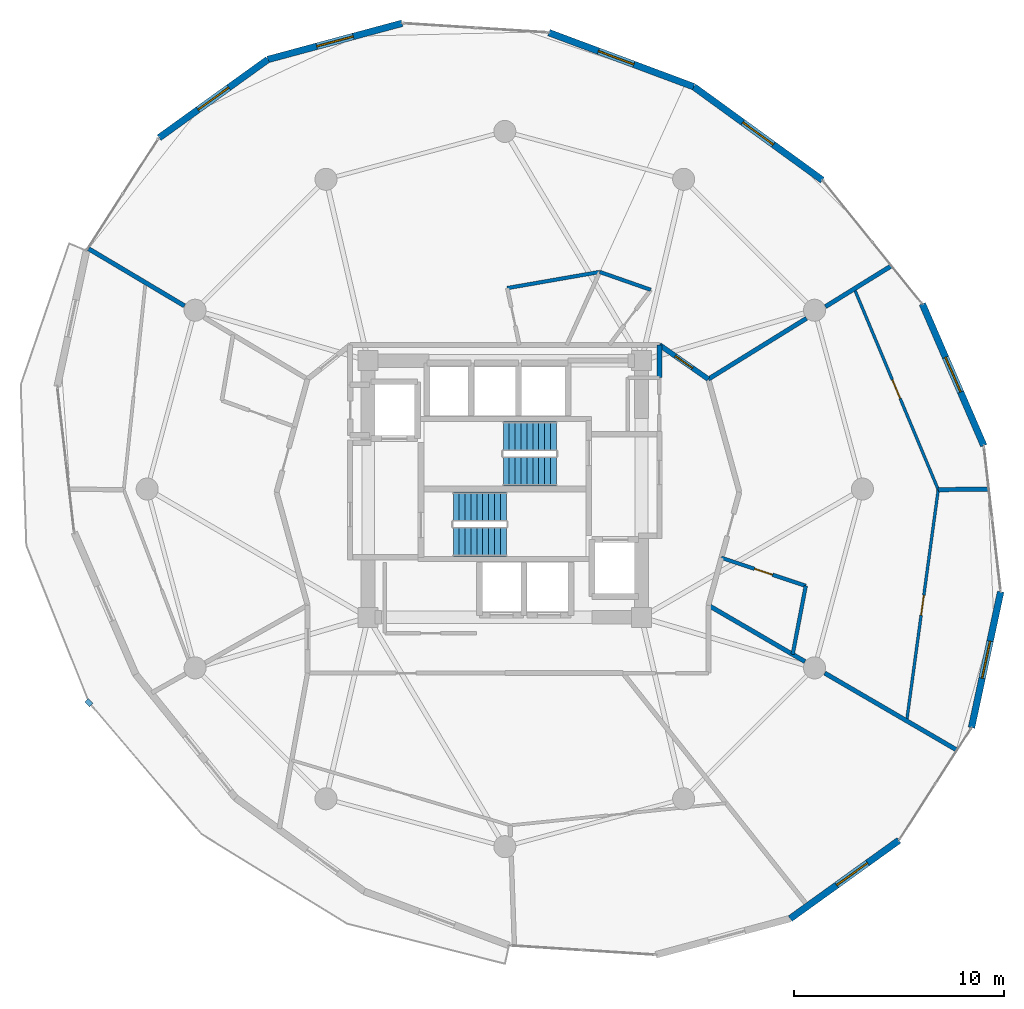
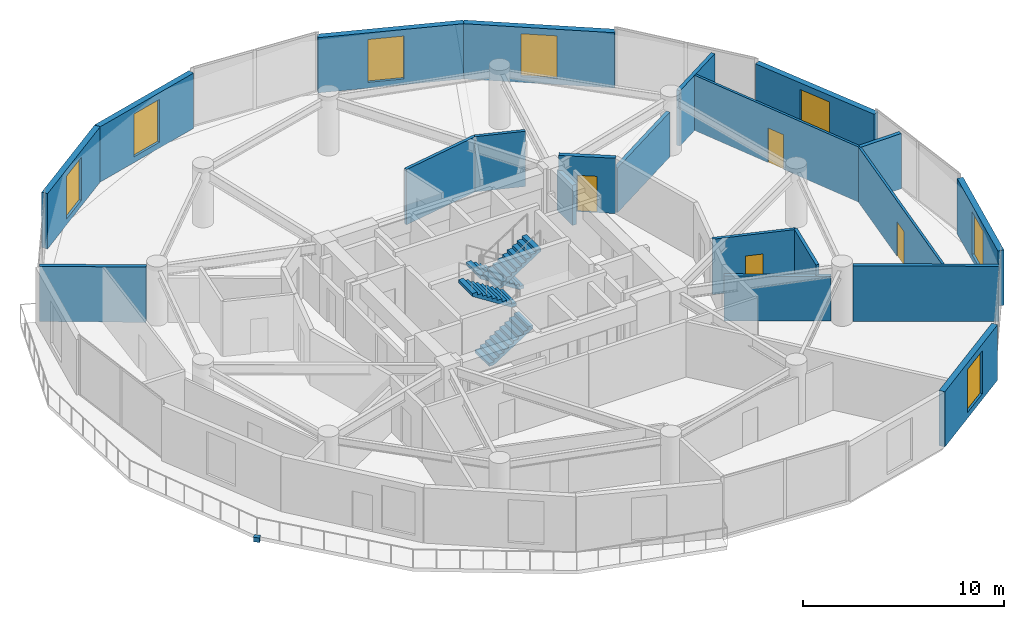
# One storey, part 19 of 21: 21 walls, 7 windows, 4 doors, 4 stair flights, 1 discrete accessory, 11 openings, 2 elements without a shape of their own.
"""IFC4 building model written with IfcOpenShell, lengths in metres."""

from ifc_helpers import new_model, si_unit, direction, frame, frame_2d, origin, origin_2d, place, context, subcontext, project, spatial, polyline, rectangle, outline, extrude, material, layer, layer_set, type_object, element, fill, aggregate, save


model = new_model("IFC4")

# Units and contexts
model_context = context("Model", 3, precision=1e-05, world=origin(), true_north=direction((0.0, 1.0)))
body_context = subcontext(model_context, "Body", "Model", "MODEL_VIEW")
ifc_project = project(units=[si_unit("LENGTHUNIT", "METRE"), si_unit("AREAUNIT", "SQUARE_METRE"), si_unit("VOLUMEUNIT", "CUBIC_METRE"), si_unit("PLANEANGLEUNIT", "RADIAN"), si_unit("MASSUNIT", "GRAM", prefix="KILO")], contexts=[model_context])

# Site, building, storey
site_placement = place(None, origin())
site = spatial("IfcSite", under=ifc_project, at=site_placement, CompositionType="ELEMENT")
building_placement = place(site_placement, origin())
building = spatial("IfcBuilding", under=site, at=building_placement, Name="Solvirekh Grand Hotel", CompositionType="ELEMENT")
storey_placement = place(building_placement, frame((0.0, 0.0, 142.199951171875)))
storey = spatial("IfcBuildingStorey", under=building, at=storey_placement, Name="L36", CompositionType="ELEMENT", Elevation=142.199951171875)

# Wall, opening, window
ifc_material_1 = material(Name="Precast concrete C45/55", Category="concrete")
ifc_layer_1 = layer(ifc_material_1, 0.320068359375)
ifc_layer_set_1 = layer_set([ifc_layer_1], Name="Precast concrete C45/55")
wall_type_1 = type_object("IfcWallType", Name="ExtLobbyWall_RC320", PredefinedType="SOLIDWALL", material=ifc_layer_set_1)
wall_1_placement = place(storey_placement, frame((23.572021484375, -4.87890625, 0.0), z_axis=(0.0, 0.0, 1.0), x_axis=(-0.210040904663, -0.977692599117, 0.0)))
wall_1 = element("IfcWall", 1, at=wall_1_placement, inside=storey, type_object=wall_type_1, Name="L36 exterior structural wall chord 2", PredefinedType="SOLIDWALL", context=body_context, shape_type="SweptSolid", body=[
    extrude(rectangle(XDim=6.612548828125, YDim=0.320068359375, at=frame_2d((3.30615234375, 0.0))), origin(), (0.0, 0.0, 1.0), 3.35009765625),
])
opening_1_placement = place(wall_1_placement, frame((2.406005859375, 0.0, 0.35009765625)))
opening_1 = element("IfcOpeningElement", 2, at=opening_1_placement, cuts=wall_1, Name="Opening W02", PredefinedType="OPENING", context=body_context, shape_type="SweptSolid", body=[
    extrude(rectangle(XDim=1.800048828125, YDim=2.60009765625, at=frame_2d((0.89990234375, 1.300048828125))), frame((0.0, 0.169921875, 0.0), z_axis=(0.0, -1.0, 0.0), x_axis=(1.0, 0.0, 0.0)), (0.0, 0.0, 1.0), 0.340087890625),
])
ifc_material_2 = material(Name="Low-E Tinted Bronze Laminated Glass", Category="aluminium")
window_type = type_object("IfcWindowType", Name="Win_LobbyExt_1800X2600", PartitioningType="SINGLE_PANEL", PredefinedType="WINDOW", material=ifc_material_2)
window_1_placement = place(opening_1_placement, origin())
window_1 = element("IfcWindow", 3, at=window_1_placement, inside=storey, type_object=window_type, Name="L36 panoramic bronze-framed window 2", OverallHeight=2.60009765625, OverallWidth=1.800048828125, PartitioningType="SINGLE_PANEL", PredefinedType="WINDOW", context=body_context, shape_type="SweptSolid", body=[
    extrude(rectangle(XDim=1.800048828125, YDim=2.60009765625, at=frame_2d((0.89990234375, 1.300048828125))), frame((0.0, 0.030029296875, 0.0), z_axis=(0.0, -1.0, 0.0), x_axis=(1.0, 0.0, 0.0)), (0.0, 0.0, 1.0), 0.06005859375),
])
fill(opening_1, window_1)

wall_2_placement = place(storey_placement, frame((19.845947265625, 8.804931640625, 0.0), z_axis=(0.0, 0.0, 1.0), x_axis=(0.39761396578, -0.917552796419, 0.0)))
wall_2 = element("IfcWall", 4, at=wall_2_placement, inside=storey, type_object=wall_type_1, Name="L36 exterior structural wall chord 4", PredefinedType="SOLIDWALL", context=body_context, shape_type="SweptSolid", body=[
    extrude(rectangle(XDim=7.3466796875, YDim=0.320068359375, at=frame_2d((3.67333984375, 0.0))), origin(), (0.0, 0.0, 1.0), 3.35009765625),
])
opening_2_placement = place(wall_2_placement, frame((2.77294921875, 0.0, 0.35009765625)))
opening_2 = element("IfcOpeningElement", 5, at=opening_2_placement, cuts=wall_2, Name="Opening W02", PredefinedType="OPENING", context=body_context, shape_type="SweptSolid", body=[
    extrude(rectangle(XDim=1.800048828125, YDim=2.60009765625, at=frame_2d((0.89990234375, 1.300048828125))), frame((0.0, 0.169921875, 0.0), z_axis=(0.0, -1.0, 0.0), x_axis=(1.0, 0.0, 0.0)), (0.0, 0.0, 1.0), 0.340087890625),
])
window_2_placement = place(opening_2_placement, origin())
window_2 = element("IfcWindow", 6, at=window_2_placement, inside=storey, type_object=window_type, Name="L36 panoramic bronze-framed window 4", OverallHeight=2.60009765625, OverallWidth=1.800048828125, PartitioningType="SINGLE_PANEL", PredefinedType="WINDOW", context=body_context, shape_type="SweptSolid", body=[
    extrude(rectangle(XDim=1.800048828125, YDim=2.60009765625, at=frame_2d((0.89990234375, 1.300048828125))), frame((0.0, 0.030029296875, 0.0), z_axis=(0.0, -1.0, 0.0), x_axis=(1.0, 0.0, 0.0)), (0.0, 0.0, 1.0), 0.06005859375),
])
fill(opening_2, window_2)

wall_3_placement = place(storey_placement, frame((8.97802734375, 19.125, 0.0), z_axis=(0.0, 0.0, 1.0), x_axis=(0.809180040303, -0.587560773347, 0.0)))
wall_3 = element("IfcWall", 7, at=wall_3_placement, inside=storey, type_object=wall_type_1, Name="L36 exterior structural wall chord 6", PredefinedType="SOLIDWALL", context=body_context, shape_type="SweptSolid", body=[
    extrude(rectangle(XDim=7.55810546875, YDim=0.320068359375, at=frame_2d((3.779052734375, 0.0))), origin(), (0.0, 0.0, 1.0), 3.35009765625),
])
opening_3_placement = place(wall_3_placement, frame((2.87890625, 0.0, 0.35009765625)))
opening_3 = element("IfcOpeningElement", 8, at=opening_3_placement, cuts=wall_3, Name="Opening W02", PredefinedType="OPENING", context=body_context, shape_type="SweptSolid", body=[
    extrude(rectangle(XDim=1.800048828125, YDim=2.60009765625, at=frame_2d((0.89990234375, 1.300048828125))), frame((0.0, 0.169921875, 0.0), z_axis=(0.0, -1.0, 0.0), x_axis=(1.0, 0.0, 0.0)), (0.0, 0.0, 1.0), 0.340087890625),
])
window_3_placement = place(opening_3_placement, origin())
window_3 = element("IfcWindow", 9, at=window_3_placement, inside=storey, type_object=window_type, Name="L36 panoramic bronze-framed window 6", OverallHeight=2.60009765625, OverallWidth=1.800048828125, PartitioningType="SINGLE_PANEL", PredefinedType="WINDOW", context=body_context, shape_type="SweptSolid", body=[
    extrude(rectangle(XDim=1.800048828125, YDim=2.60009765625, at=frame_2d((0.89990234375, 1.300048828125))), frame((0.0, 0.030029296875, 0.0), z_axis=(0.0, -1.0, 0.0), x_axis=(1.0, 0.0, 0.0)), (0.0, 0.0, 1.0), 0.06005859375),
])
fill(opening_3, window_3)

wall_4_placement = place(storey_placement, frame((2.094970703125, 21.695068359375, 0.0), z_axis=(0.0, 0.0, 1.0), x_axis=(0.936823947669, -0.349801216512, 0.0)))
wall_4 = element("IfcWall", 10, at=wall_4_placement, inside=storey, type_object=wall_type_1, Name="L36 exterior structural wall chord 7", PredefinedType="SOLIDWALL", context=body_context, shape_type="SweptSolid", body=[
    extrude(rectangle(XDim=7.34716796875, YDim=0.320068359375, at=frame_2d((3.673583984375, 0.0))), origin(), (0.0, 0.0, 1.0), 3.35009765625),
])
opening_4_placement = place(wall_4_placement, frame((2.510986328125, 0.0, 0.35009765625)))
opening_4 = element("IfcOpeningElement", 11, at=opening_4_placement, cuts=wall_4, Name="Opening W02", PredefinedType="OPENING", context=body_context, shape_type="SweptSolid", body=[
    extrude(rectangle(XDim=1.800048828125, YDim=2.60009765625, at=frame_2d((0.89990234375, 1.300048828125))), frame((0.0, 0.169921875, 0.0), z_axis=(0.0, -1.0, 0.0), x_axis=(1.0, 0.0, 0.0)), (0.0, 0.0, 1.0), 0.340087890625),
])
window_4_placement = place(opening_4_placement, origin())
window_4 = element("IfcWindow", 12, at=window_4_placement, inside=storey, type_object=window_type, Name="L36 panoramic bronze-framed window 7", OverallHeight=2.60009765625, OverallWidth=1.800048828125, PartitioningType="SINGLE_PANEL", PredefinedType="WINDOW", context=body_context, shape_type="SweptSolid", body=[
    extrude(rectangle(XDim=1.800048828125, YDim=2.60009765625, at=frame_2d((0.89990234375, 1.300048828125))), frame((0.0, 0.030029296875, 0.0), z_axis=(0.0, -1.0, 0.0), x_axis=(1.0, 0.0, 0.0)), (0.0, 0.0, 1.0), 0.06005859375),
])
fill(opening_4, window_4)

wall_5_placement = place(storey_placement, frame((-11.264892578125, 20.4189453125, 0.0), z_axis=(0.0, 0.0, 1.0), x_axis=(0.965496962539, 0.260414314753, 0.0)))
wall_5 = element("IfcWall", 13, at=wall_5_placement, inside=storey, type_object=wall_type_1, Name="L36 exterior structural wall chord 9", PredefinedType="SOLIDWALL", context=body_context, shape_type="SweptSolid", body=[
    extrude(rectangle(XDim=6.61328125, YDim=0.320068359375, at=frame_2d((3.306640625, 0.0))), origin(), (0.0, 0.0, 1.0), 3.35009765625),
])
opening_5_placement = place(wall_5_placement, frame((2.406982421875, 0.0, 0.35009765625)))
opening_5 = element("IfcOpeningElement", 14, at=opening_5_placement, cuts=wall_5, Name="Opening W02", PredefinedType="OPENING", context=body_context, shape_type="SweptSolid", body=[
    extrude(rectangle(XDim=1.800048828125, YDim=2.60009765625, at=frame_2d((0.89990234375, 1.300048828125))), frame((0.0, 0.169921875, 0.0), z_axis=(0.0, -1.0, 0.0), x_axis=(1.0, 0.0, 0.0)), (0.0, 0.0, 1.0), 0.340087890625),
])
window_5_placement = place(opening_5_placement, origin())
window_5 = element("IfcWindow", 15, at=window_5_placement, inside=storey, type_object=window_type, Name="L36 panoramic bronze-framed window 9", OverallHeight=2.60009765625, OverallWidth=1.800048828125, PartitioningType="SINGLE_PANEL", PredefinedType="WINDOW", context=body_context, shape_type="SweptSolid", body=[
    extrude(rectangle(XDim=1.800048828125, YDim=2.60009765625, at=frame_2d((0.89990234375, 1.300048828125))), frame((0.0, 0.030029296875, 0.0), z_axis=(0.0, -1.0, 0.0), x_axis=(1.0, 0.0, 0.0)), (0.0, 0.0, 1.0), 0.06005859375),
])
fill(opening_5, window_5)

wall_6_placement = place(storey_placement, frame((-16.43505859375, 16.698974609375, 0.0), z_axis=(0.0, 0.0, 1.0), x_axis=(0.811724052587, 0.584041147909, 0.0)))
wall_6 = element("IfcWall", 16, at=wall_6_placement, inside=storey, type_object=wall_type_1, Name="L36 exterior structural wall chord 10", PredefinedType="SOLIDWALL", context=body_context, shape_type="SweptSolid", body=[
    extrude(rectangle(XDim=6.369384765625, YDim=0.320068359375, at=frame_2d((3.1845703125, 0.0))), origin(), (0.0, 0.0, 1.0), 3.35009765625),
])
opening_6_placement = place(wall_6_placement, frame((2.284912109375, 0.0, 0.35009765625)))
opening_6 = element("IfcOpeningElement", 17, at=opening_6_placement, cuts=wall_6, Name="Opening W02", PredefinedType="OPENING", context=body_context, shape_type="SweptSolid", body=[
    extrude(rectangle(XDim=1.800048828125, YDim=2.60009765625, at=frame_2d((0.89990234375, 1.300048828125))), frame((0.0, 0.169921875, 0.0), z_axis=(0.0, -1.0, 0.0), x_axis=(1.0, 0.0, 0.0)), (0.0, 0.0, 1.0), 0.340087890625),
])
window_6_placement = place(opening_6_placement, origin())
window_6 = element("IfcWindow", 18, at=window_6_placement, inside=storey, type_object=window_type, Name="L36 panoramic bronze-framed window 10", OverallHeight=2.60009765625, OverallWidth=1.800048828125, PartitioningType="SINGLE_PANEL", PredefinedType="WINDOW", context=body_context, shape_type="SweptSolid", body=[
    extrude(rectangle(XDim=1.800048828125, YDim=2.60009765625, at=frame_2d((0.89990234375, 1.300048828125))), frame((0.0, 0.030029296875, 0.0), z_axis=(0.0, -1.0, 0.0), x_axis=(1.0, 0.0, 0.0)), (0.0, 0.0, 1.0), 0.06005859375),
])
fill(opening_6, window_6)

wall_7_placement = place(storey_placement, frame((18.735107421875, -16.698974609375, 0.0), z_axis=(0.0, 0.0, 1.0), x_axis=(-0.811724052587, -0.584041147909, 0.0)))
wall_7 = element("IfcWall", 19, at=wall_7_placement, inside=storey, type_object=wall_type_1, Name="L36 exterior structural wall chord 20", PredefinedType="SOLIDWALL", context=body_context, shape_type="SweptSolid", body=[
    extrude(rectangle(XDim=6.369384765625, YDim=0.320068359375, at=frame_2d((3.1845703125, 0.0))), origin(), (0.0, 0.0, 1.0), 3.35009765625),
])
opening_7_placement = place(wall_7_placement, frame((1.840087890625, 0.0, 0.35009765625)))
opening_7 = element("IfcOpeningElement", 20, at=opening_7_placement, cuts=wall_7, Name="Opening W02", PredefinedType="OPENING", context=body_context, shape_type="SweptSolid", body=[
    extrude(rectangle(XDim=1.800048828125, YDim=2.60009765625, at=frame_2d((0.89990234375, 1.300048828125))), frame((0.0, 0.169921875, 0.0), z_axis=(0.0, -1.0, 0.0), x_axis=(1.0, 0.0, 0.0)), (0.0, 0.0, 1.0), 0.340087890625),
])
window_7_placement = place(opening_7_placement, origin())
window_7 = element("IfcWindow", 21, at=window_7_placement, inside=storey, type_object=window_type, Name="L36 panoramic bronze-framed window 20", OverallHeight=2.60009765625, OverallWidth=1.800048828125, PartitioningType="SINGLE_PANEL", PredefinedType="WINDOW", context=body_context, shape_type="SweptSolid", body=[
    extrude(rectangle(XDim=1.800048828125, YDim=2.60009765625, at=frame_2d((0.89990234375, 1.300048828125))), frame((0.0, 0.030029296875, 0.0), z_axis=(0.0, -1.0, 0.0), x_axis=(1.0, 0.0, 0.0)), (0.0, 0.0, 1.0), 0.06005859375),
])
fill(opening_7, window_7)

# Wall
ifc_material_3 = material(Name="Acoustic Gypsum Partition Assembly")
ifc_layer_2 = layer(ifc_material_3, 0.239990234375)
ifc_layer_set_2 = layer_set([ifc_layer_2], Name="Acoustic Gypsum Partition Assembly")
wall_type_2 = type_object("IfcWallType", Name="Part_Corridor_240", PredefinedType="PARTITIONING", material=ifc_layer_set_2)
wall_8_placement = place(storey_placement, frame((7.35009765625, 5.300048828125, 0.0), z_axis=(0.0, 0.0, 1.0), x_axis=(0.0, 1.0, 0.0)))
element("IfcWall", 22, at=wall_8_placement, inside=storey, type_object=wall_type_2, Name="L36 NE core cheek closure wall", PredefinedType="PARTITIONING", context=body_context, shape_type="SweptSolid", body=[
    extrude(rectangle(XDim=1.550048828125, YDim=0.239990234375, at=frame_2d((0.77490234375, 0.0))), origin(), (0.0, 0.0, 1.0), 2.43505859375),
])

# Wall, opening, door
wall_9_placement = place(storey_placement, frame((7.35009765625, 6.85009765625, 0.0), z_axis=(0.0, 0.0, 1.0), x_axis=(0.819753050647, -0.57271715179, 0.0)))
wall_9 = element("IfcWall", 23, at=wall_9_placement, inside=storey, type_object=wall_type_2, Name="L36 Deluxe Guestroom 3801 entrance wall", PredefinedType="PARTITIONING", context=body_context, shape_type="SweptSolid", body=[
    extrude(rectangle(XDim=2.83740234375, YDim=0.239990234375, at=frame_2d((1.418701171875, 0.0))), origin(), (0.0, 0.0, 1.0), 3.35009765625),
])
opening_8_placement = place(wall_9_placement, frame((0.9189453125, 0.0, 0.0)))
opening_8 = element("IfcOpeningElement", 24, at=opening_8_placement, cuts=wall_9, Name="Opening D07", PredefinedType="OPENING", context=body_context, shape_type="SweptSolid", body=[
    extrude(rectangle(XDim=1.0, YDim=2.199951171875, at=frame_2d((0.5, 1.10009765625))), frame((0.0, 0.1298828125, 0.0), z_axis=(0.0, -1.0, 0.0), x_axis=(1.0, 0.0, 0.0)), (0.0, 0.0, 1.0), 0.260009765625),
])
ifc_material_4 = material(Name="Fire-Rated Steel Door Assembly", Category="steel")
door_type_1 = type_object("IfcDoorType", Name="Door_GuestEntry_1000X2200", OperationType="NOTDEFINED", PredefinedType="DOOR", material=ifc_material_4)
door_1_placement = place(opening_8_placement, origin())
door_1 = element("IfcDoor", 25, at=door_1_placement, inside=storey, type_object=door_type_1, Name="L36 Deluxe Guestroom 3801 entrance door", OperationType="SINGLE_SWING_RIGHT", OverallHeight=2.199951171875, OverallWidth=1.0, PredefinedType="DOOR", context=body_context, shape_type="SweptSolid", body=[
    extrude(rectangle(XDim=1.0, YDim=2.199951171875, at=frame_2d((0.5, 1.10009765625))), frame((0.0, 0.02490234375, 0.0), z_axis=(0.0, -1.0, 0.0), x_axis=(1.0, 0.0, 0.0)), (0.0, 0.0, 1.0), 0.050048828125),
])
fill(opening_8, door_1)

ifc_layer_3 = layer(ifc_material_3, 0.135009765625)
ifc_layer_set_3 = layer_set([ifc_layer_3], Name="Acoustic Gypsum Partition Assembly")
wall_type_3 = type_object("IfcWallType", Name="Part_RoomInt_135", PredefinedType="PARTITIONING", material=ifc_layer_set_3)
wall_10_placement = place(storey_placement, frame((19.10400390625, -11.01806640625, 0.0), z_axis=(0.0, 0.0, 1.0), x_axis=(0.135171166516, 0.990822262438, 0.0)))
wall_10 = element("IfcWall", 26, at=wall_10_placement, inside=storey, type_object=wall_type_3, Name="L36 Executive Suite 3804 Living Room bedroom screen wall", PredefinedType="PARTITIONING", context=body_context, shape_type="SweptSolid", body=[
    extrude(rectangle(XDim=11.08984375, YDim=0.135009765625, at=frame_2d((5.544921875, 0.0))), origin(), (0.0, 0.0, 1.0), 3.35009765625),
])
opening_9_placement = place(wall_10_placement, frame((5.070068359375, 0.0, 0.0)))
opening_9 = element("IfcOpeningElement", 27, at=opening_9_placement, cuts=wall_10, Name="Opening D10", PredefinedType="OPENING", context=body_context, shape_type="SweptSolid", body=[
    extrude(rectangle(XDim=0.949951171875, YDim=2.10009765625, at=frame_2d((0.47509765625, 1.050048828125))), frame((0.0, 0.07763671875, 0.0), z_axis=(0.0, -1.0, 0.0), x_axis=(1.0, 0.0, 0.0)), (0.0, 0.0, 1.0), 0.155029296875),
])
ifc_material_5 = material(Name="Anodized Bronze Aluminium 6063-T6", Category="aluminium")
door_type_2 = type_object("IfcDoorType", Name="Door_RoomInt_950X2100", OperationType="NOTDEFINED", PredefinedType="DOOR", material=ifc_material_5)
door_2_placement = place(opening_9_placement, origin())
door_2 = element("IfcDoor", 28, at=door_2_placement, inside=storey, type_object=door_type_2, Name="L36 Executive Suite 3804 Living Room master bedroom door", OperationType="SINGLE_SWING_LEFT", OverallHeight=2.10009765625, OverallWidth=0.949951171875, PredefinedType="DOOR", context=body_context, shape_type="SweptSolid", body=[
    extrude(rectangle(XDim=0.949951171875, YDim=2.10009765625, at=frame_2d((0.47509765625, 1.050048828125))), frame((0.0, 0.02490234375, 0.0), z_axis=(0.0, -1.0, 0.0), x_axis=(1.0, 0.0, 0.0)), (0.0, 0.0, 1.0), 0.050048828125),
])
fill(opening_9, door_2)

wall_11_placement = place(storey_placement, frame((20.60302734375, -0.030029296875, 0.0), z_axis=(0.0, 0.0, 1.0), x_axis=(-0.385424249403, 0.922739480012, 0.0)))
wall_11 = element("IfcWall", 29, at=wall_11_placement, inside=storey, type_object=wall_type_3, Name="L36 Executive Suite 3804 Panorama Suite Study bedroom screen wall", PredefinedType="PARTITIONING", context=body_context, shape_type="SweptSolid", body=[
    extrude(rectangle(XDim=10.349609375, YDim=0.135009765625, at=frame_2d((5.1748046875, 0.0))), origin(), (0.0, 0.0, 1.0), 3.35009765625),
])
opening_10_placement = place(wall_11_placement, frame((4.699951171875, 0.0, 0.0)))
opening_10 = element("IfcOpeningElement", 30, at=opening_10_placement, cuts=wall_11, Name="Opening D10", PredefinedType="OPENING", context=body_context, shape_type="SweptSolid", body=[
    extrude(rectangle(XDim=0.949951171875, YDim=2.10009765625, at=frame_2d((0.47509765625, 1.050048828125))), frame((0.0, 0.07763671875, 0.0), z_axis=(0.0, -1.0, 0.0), x_axis=(1.0, 0.0, 0.0)), (0.0, 0.0, 1.0), 0.155029296875),
])
door_3_placement = place(opening_10_placement, origin())
door_3 = element("IfcDoor", 31, at=door_3_placement, inside=storey, type_object=door_type_2, Name="L36 Executive Suite 3804 Panorama Suite Study master bedroom door", OperationType="SINGLE_SWING_RIGHT", OverallHeight=2.10009765625, OverallWidth=0.949951171875, PredefinedType="DOOR", context=body_context, shape_type="SweptSolid", body=[
    extrude(rectangle(XDim=0.949951171875, YDim=2.10009765625, at=frame_2d((0.47509765625, 1.050048828125))), frame((0.0, 0.02490234375, 0.0), z_axis=(0.0, -1.0, 0.0), x_axis=(1.0, 0.0, 0.0)), (0.0, 0.0, 1.0), 0.050048828125),
])
fill(opening_10, door_3)

# Walls
ifc_layer_4 = layer(ifc_material_3, 0.2099609375)
ifc_layer_set_4 = layer_set([ifc_layer_4], Name="Acoustic Gypsum Partition Assembly")
wall_type_4 = type_object("IfcWallType", Name="Part_SuiteDemise_210", PredefinedType="PARTITIONING", material=ifc_layer_set_4)
wall_12_placement = place(storey_placement, frame((9.676025390625, 5.22509765625, 0.0), z_axis=(0.0, 0.0, 1.0), x_axis=(0.850241428679, 0.526392926394, 0.0)))
element("IfcWall", 32, at=wall_12_placement, inside=storey, type_object=wall_type_4, Name="L36 suite radial wall 2 (A)", PredefinedType="PARTITIONING", context=body_context, shape_type="SweptSolid", body=[
    extrude(rectangle(XDim=5.484375, YDim=0.2099609375, at=frame_2d((2.7421875, 0.0))), origin(), (0.0, 0.0, 1.0), 2.718017578125),
])
wall_13_placement = place(storey_placement, frame((15.239990234375, 8.6689453125, 0.0), z_axis=(0.0, 0.0, 1.0), x_axis=(0.850222459569, 0.526423564484, 0.0)))
element("IfcWall", 33, at=wall_13_placement, inside=storey, type_object=wall_type_4, Name="L36 suite radial wall 2 (B)", PredefinedType="PARTITIONING", context=body_context, shape_type="SweptSolid", body=[
    extrude(rectangle(XDim=3.65673828125, YDim=0.2099609375, at=frame_2d((1.828369140625, 0.0))), origin(), (0.0, 0.0, 1.0), 3.35009765625),
])
wall_14_placement = place(storey_placement, frame((-15.22607421875, 8.7080078125, 0.0), z_axis=(0.0, 0.0, 1.0), x_axis=(-0.859169116006, 0.511691733471, 0.0)))
element("IfcWall", 34, at=wall_14_placement, inside=storey, type_object=wall_type_4, Name="L36 suite radial wall 6 (B)", PredefinedType="PARTITIONING", context=body_context, shape_type="SweptSolid", body=[
    extrude(rectangle(XDim=5.30615234375, YDim=0.2099609375, at=frame_2d((2.653076171875, 0.0))), origin(), (0.0, 0.0, 1.0), 3.35009765625),
])
wall_15_placement = place(storey_placement, frame((9.676025390625, -5.52490234375, 0.0), z_axis=(0.0, 0.0, 1.0), x_axis=(0.864030429533, -0.503439586088, 0.0)))
element("IfcWall", 35, at=wall_15_placement, inside=storey, type_object=wall_type_4, Name="L36 suite radial wall 12 (A)", PredefinedType="PARTITIONING", context=body_context, shape_type="SweptSolid", body=[
    extrude(rectangle(XDim=5.3134765625, YDim=0.2099609375, at=frame_2d((2.65673828125, 0.0))), origin(), (0.0, 0.0, 1.0), 2.718017578125),
])
wall_16_placement = place(storey_placement, frame((15.20703125, -8.748046875, 0.0), z_axis=(0.0, 0.0, 1.0), x_axis=(0.864082158656, -0.503350795263, 0.0)))
element("IfcWall", 36, at=wall_16_placement, inside=storey, type_object=wall_type_4, Name="L36 suite radial wall 12 (B)", PredefinedType="PARTITIONING", context=body_context, shape_type="SweptSolid", body=[
    extrude(rectangle(XDim=7.237548828125, YDim=0.2099609375, at=frame_2d((3.61865234375, 0.0))), origin(), (0.0, 0.0, 1.0), 3.35009765625),
])
wall_17_placement = place(storey_placement, frame((20.60302734375, -0.030029296875, 0.0), z_axis=(0.0, 0.0, 1.0), x_axis=(0.999919264108, 0.012706898387, 0.0)))
element("IfcWall", 37, at=wall_17_placement, inside=storey, type_object=wall_type_4, Name="L36 Executive Suite 3804 Living Room dividing partition 1", PredefinedType="PARTITIONING", context=body_context, shape_type="SweptSolid", body=[
    extrude(rectangle(XDim=2.36328125, YDim=0.2099609375, at=frame_2d((1.181640625, 0.0))), origin(), (0.0, 0.0, 1.0), 3.35009765625),
])
ifc_layer_5 = layer(ifc_material_3, 0.175048828125)
ifc_layer_set_5 = layer_set([ifc_layer_5], Name="Acoustic Gypsum Partition Assembly")
wall_type_5 = type_object("IfcWallType", Name="Plumb_Ensuite_175", PredefinedType="PLUMBINGWALL", material=ifc_layer_set_5)
wall_18_placement = place(storey_placement, frame((4.514892578125, 10.318115234375, 0.0), z_axis=(0.0, 0.0, 1.0), x_axis=(0.943844996107, -0.330388594421, 0.0)))
element("IfcWall", 38, at=wall_18_placement, inside=storey, type_object=wall_type_5, Name="L36 En-suite Bathroom 3801 outer plumbing wall", PredefinedType="PLUMBINGWALL", context=body_context, shape_type="SweptSolid", body=[
    extrude(rectangle(XDim=2.564208984375, YDim=0.175048828125, at=frame_2d((1.2822265625, 0.0))), origin(), (0.0, 0.0, 1.0), 3.35009765625),
])
wall_19_placement = place(storey_placement, frame((0.116943359375, 9.552978515625, 0.0), z_axis=(0.0, 0.0, 1.0), x_axis=(0.985201316569, 0.171401183864, 0.0)))
element("IfcWall", 39, at=wall_19_placement, inside=storey, type_object=wall_type_5, Name="L36 En-suite Bathroom 3802 outer plumbing wall", PredefinedType="PLUMBINGWALL", context=body_context, shape_type="SweptSolid", body=[
    extrude(rectangle(XDim=4.464111328125, YDim=0.175048828125, at=frame_2d((2.23193359375, 0.0))), origin(), (0.0, 0.0, 1.0), 3.35009765625),
])
wall_20_placement = place(storey_placement, frame((13.68310546875, -7.85888671875, 0.0), z_axis=(0.0, 0.0, 1.0), x_axis=(0.187717343652, 0.982223090185, 0.0)))
element("IfcWall", 40, at=wall_20_placement, inside=storey, type_object=wall_type_5, Name="L36 En-suite Bathroom 3804 outer plumbing wall", PredefinedType="PLUMBINGWALL", context=body_context, shape_type="SweptSolid", body=[
    extrude(rectangle(XDim=3.31787109375, YDim=0.175048828125, at=frame_2d((1.658935546875, 0.0))), origin(), (0.0, 0.0, 1.0), 3.35009765625),
])

# Wall, opening, door
wall_21_placement = place(storey_placement, frame((10.294921875, -3.26806640625, 0.0), z_axis=(0.0, 0.0, 1.0), x_axis=(0.94903508074, -0.315170454715, 0.0)))
wall_21 = element("IfcWall", 41, at=wall_21_placement, inside=storey, type_object=wall_type_5, Name="L36 En-suite Bathroom 3804 entry plumbing wall", PredefinedType="PLUMBINGWALL", context=body_context, shape_type="SweptSolid", body=[
    extrude(rectangle(XDim=4.226318359375, YDim=0.175048828125, at=frame_2d((2.11328125, 0.0))), origin(), (0.0, 0.0, 1.0), 3.35009765625),
])
opening_11_placement = place(wall_21_placement, frame((1.6630859375, 0.0, 0.0)))
opening_11 = element("IfcOpeningElement", 42, at=opening_11_placement, cuts=wall_21, Name="Opening D09", PredefinedType="OPENING", context=body_context, shape_type="SweptSolid", body=[
    extrude(rectangle(XDim=0.89990234375, YDim=2.10009765625, at=frame_2d((0.449951171875, 1.050048828125))), frame((0.0, 0.09765625, 0.0), z_axis=(0.0, -1.0, 0.0), x_axis=(1.0, 0.0, 0.0)), (0.0, 0.0, 1.0), 0.195068359375),
])
door_type_3 = type_object("IfcDoorType", Name="Door_Ensuite_900X2100", OperationType="NOTDEFINED", PredefinedType="DOOR", material=ifc_material_5)
door_4_placement = place(opening_11_placement, origin())
door_4 = element("IfcDoor", 43, at=door_4_placement, inside=storey, type_object=door_type_3, Name="L36 En-suite Bathroom 3804 door", OperationType="SINGLE_SWING_LEFT", OverallHeight=2.10009765625, OverallWidth=0.89990234375, PredefinedType="DOOR", context=body_context, shape_type="SweptSolid", body=[
    extrude(rectangle(XDim=0.89990234375, YDim=2.10009765625, at=frame_2d((0.449951171875, 1.050048828125))), frame((0.0, 0.02490234375, 0.0), z_axis=(0.0, -1.0, 0.0), x_axis=(1.0, 0.0, 0.0)), (0.0, 0.0, 1.0), 0.050048828125),
])
fill(opening_11, door_4)

# Stair, stair flights
ifc_material_6 = material(Name="Concrete C40/50", Category="concrete")
stair_type = type_object("IfcStairType", Name="Stair_Core_1450", PredefinedType="HALF_TURN_STAIR", material=ifc_material_6)
stair_1_placement = place(storey_placement, origin())
stair_1 = element("IfcStair", 44, at=stair_1_placement, inside=storey, type_object=stair_type, Name="L36 Enclosed exit stair ST-1", PredefinedType="HALF_TURN_STAIR")
stair_flight_type = type_object("IfcStairFlightType", Name="Flight_Core_1450", PredefinedType="STRAIGHT", material=ifc_material_6)
stair_flight_1_placement = place(storey_placement, frame((-2.449951171875, -2.5, 0.0), z_axis=(0.0, 0.0, 1.0), x_axis=(1.0, 0.0, 0.0)))
stair_flight_1 = element("IfcStairFlight", 45, at=stair_flight_1_placement, type_object=stair_flight_type, Name="ST-1 flight 1", NumberOfRisers=10, NumberOfTreads=9, PredefinedType="STRAIGHT", RiserHeight=0.18, TreadLength=0.28, context=body_context, shape_type="SweptSolid", body=[
    extrude(outline(polyline([(0.0, 0.0), (0.0, 0.179931640625), (0.280029296875, 0.179931640625), (0.280029296875, 0.360107421875), (0.56005859375, 0.360107421875), (0.56005859375, 0.5400390625), (0.840087890625, 0.5400390625), (0.840087890625, 0.719970703125), (1.1201171875, 0.719970703125), (1.1201171875, 0.89990234375), (1.39990234375, 0.89990234375), (1.39990234375, 1.080078125), (1.679931640625, 1.080078125), (1.679931640625, 1.260009765625), (1.9599609375, 1.260009765625), (1.9599609375, 1.43994140625), (2.239990234375, 1.43994140625), (2.239990234375, 1.6201171875), (2.52001953125, 1.6201171875), (2.52001953125, 1.800048828125), (2.52001953125, 1.44189453125), (0.277099609375, 0.0), (0.0, 0.0)])), frame((0.0, 0.699951171875, 0.0), z_axis=(0.0, -1.0, 0.0), x_axis=(1.0, 0.0, 0.0)), (0.0, 0.0, 1.0), 1.39990234375),
])
stair_flight_2_placement = place(storey_placement, frame((0.070068359375, -0.85009765625, 1.800048828125), z_axis=(0.0, 0.0, 1.0), x_axis=(-1.0, 0.0, 0.0)))
stair_flight_2 = element("IfcStairFlight", 46, at=stair_flight_2_placement, type_object=stair_flight_type, Name="ST-1 flight 2", NumberOfRisers=10, NumberOfTreads=9, PredefinedType="STRAIGHT", RiserHeight=0.18, TreadLength=0.28, context=body_context, shape_type="SweptSolid", body=[
    extrude(outline(polyline([(0.0, 0.0), (0.0, 0.179931640625), (0.280029296875, 0.179931640625), (0.280029296875, 0.360107421875), (0.56005859375, 0.360107421875), (0.56005859375, 0.5400390625), (0.840087890625, 0.5400390625), (0.840087890625, 0.719970703125), (1.1201171875, 0.719970703125), (1.1201171875, 0.89990234375), (1.39990234375, 0.89990234375), (1.39990234375, 1.080078125), (1.679931640625, 1.080078125), (1.679931640625, 1.260009765625), (1.9599609375, 1.260009765625), (1.9599609375, 1.43994140625), (2.239990234375, 1.43994140625), (2.239990234375, 1.6201171875), (2.52001953125, 1.6201171875), (2.52001953125, 1.800048828125), (2.52001953125, 1.44189453125), (0.277099609375, 0.0), (0.0, 0.0)])), frame((0.0, 0.699951171875, 0.0), z_axis=(0.0, -1.0, 0.0), x_axis=(1.0, 0.0, 0.0)), (0.0, 0.0, 1.0), 1.39990234375),
])
aggregate(stair_1, [stair_flight_1, stair_flight_2])

stair_2_placement = place(storey_placement, origin())
stair_2 = element("IfcStair", 47, at=stair_2_placement, inside=storey, type_object=stair_type, Name="L36 Enclosed exit stair ST-2", PredefinedType="HALF_TURN_STAIR")
stair_flight_3_placement = place(storey_placement, frame((2.449951171875, 2.5, 0.0), z_axis=(0.0, 0.0, 1.0), x_axis=(-1.0, 0.0, 0.0)))
stair_flight_3 = element("IfcStairFlight", 48, at=stair_flight_3_placement, type_object=stair_flight_type, Name="ST-2 flight 1", NumberOfRisers=10, NumberOfTreads=9, PredefinedType="STRAIGHT", RiserHeight=0.18, TreadLength=0.28, context=body_context, shape_type="SweptSolid", body=[
    extrude(outline(polyline([(0.0, 0.0), (0.0, 0.179931640625), (0.280029296875, 0.179931640625), (0.280029296875, 0.360107421875), (0.56005859375, 0.360107421875), (0.56005859375, 0.5400390625), (0.840087890625, 0.5400390625), (0.840087890625, 0.719970703125), (1.1201171875, 0.719970703125), (1.1201171875, 0.89990234375), (1.39990234375, 0.89990234375), (1.39990234375, 1.080078125), (1.679931640625, 1.080078125), (1.679931640625, 1.260009765625), (1.9599609375, 1.260009765625), (1.9599609375, 1.43994140625), (2.239990234375, 1.43994140625), (2.239990234375, 1.6201171875), (2.52001953125, 1.6201171875), (2.52001953125, 1.800048828125), (2.52001953125, 1.44189453125), (0.277099609375, 0.0), (0.0, 0.0)])), frame((0.0, 0.699951171875, 0.0), z_axis=(0.0, -1.0, 0.0), x_axis=(1.0, 0.0, 0.0)), (0.0, 0.0, 1.0), 1.39990234375),
])
stair_flight_4_placement = place(storey_placement, frame((-0.070068359375, 0.85009765625, 1.800048828125), z_axis=(0.0, 0.0, 1.0), x_axis=(1.0, 0.0, 0.0)))
stair_flight_4 = element("IfcStairFlight", 49, at=stair_flight_4_placement, type_object=stair_flight_type, Name="ST-2 flight 2", NumberOfRisers=10, NumberOfTreads=9, PredefinedType="STRAIGHT", RiserHeight=0.18, TreadLength=0.28, context=body_context, shape_type="SweptSolid", body=[
    extrude(outline(polyline([(0.0, 0.0), (0.0, 0.179931640625), (0.280029296875, 0.179931640625), (0.280029296875, 0.360107421875), (0.56005859375, 0.360107421875), (0.56005859375, 0.5400390625), (0.840087890625, 0.5400390625), (0.840087890625, 0.719970703125), (1.1201171875, 0.719970703125), (1.1201171875, 0.89990234375), (1.39990234375, 0.89990234375), (1.39990234375, 1.080078125), (1.679931640625, 1.080078125), (1.679931640625, 1.260009765625), (1.9599609375, 1.260009765625), (1.9599609375, 1.43994140625), (2.239990234375, 1.43994140625), (2.239990234375, 1.6201171875), (2.52001953125, 1.6201171875), (2.52001953125, 1.800048828125), (2.52001953125, 1.44189453125), (0.277099609375, 0.0), (0.0, 0.0)])), frame((0.0, 0.699951171875, 0.0), z_axis=(0.0, -1.0, 0.0), x_axis=(1.0, 0.0, 0.0)), (0.0, 0.0, 1.0), 1.39990234375),
])
aggregate(stair_2, [stair_flight_3, stair_flight_4])

# Discrete accessory
ifc_material_7 = material(Name="Steel S355", Category="steel")
discrete_accessory_type = type_object("IfcDiscreteAccessoryType", Name="Acc_ThermalBracket", PredefinedType="BRACKET", material=ifc_material_7)
discrete_accessory_placement = place(storey_placement, frame((-19.76708984375, -10.156005859375, -0.27978515625), z_axis=(0.0, 0.0, 1.0), x_axis=(0.725374371012, -0.688354575694, 0.0)))
element("IfcDiscreteAccessory", 50, at=discrete_accessory_placement, inside=storey, type_object=discrete_accessory_type, Name="L36 balcony thermal-break bracket", PredefinedType="BRACKET", context=body_context, shape_type="SweptSolid", body=[
    extrude(rectangle(XDim=0.320068359375, YDim=0.239990234375, at=origin_2d()), origin(), (0.0, 0.0, 1.0), 0.280029296875),
])

save(model, "model.ifc")
